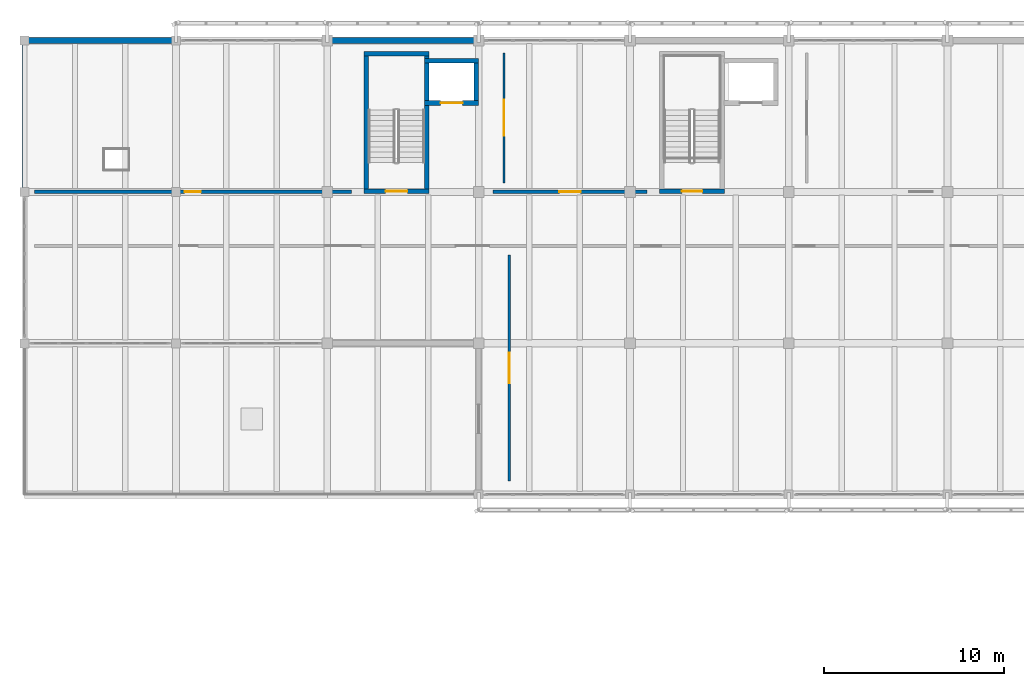
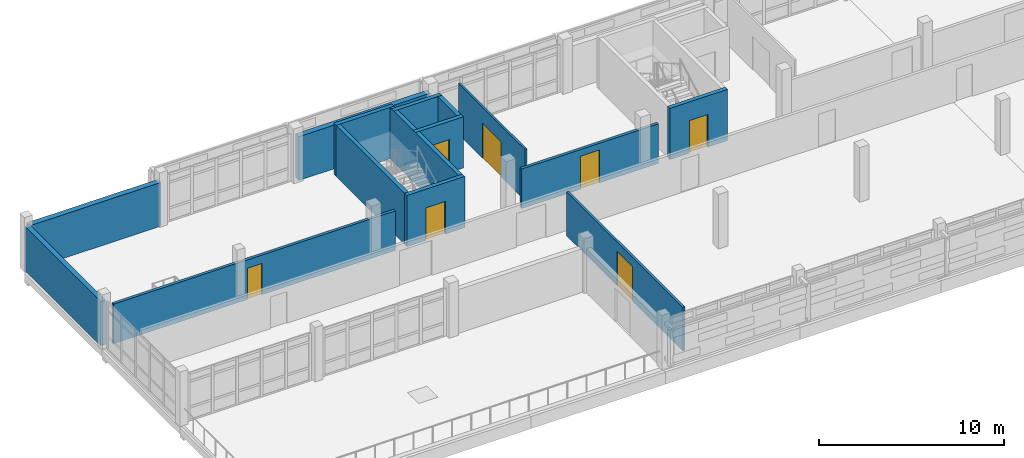
# One storey, part 43 of 50: 15 walls, 7 doors, 7 openings.
"""IFC4 building model written with IfcOpenShell, lengths in metres."""

from ifc_helpers import new_model, si_unit, direction, frame, frame_2d, origin, place, context, subcontext, project, spatial, rectangle, extrude, material, layer, layer_set, type_object, element, fill, save


model = new_model("IFC4")

# Units and contexts
model_context = context("Model", 3, precision=1e-05, world=origin(), true_north=direction((0.0, 1.0)))
body_context = subcontext(model_context, "Body", "Model", "MODEL_VIEW")
ifc_project = project(units=[si_unit("LENGTHUNIT", "METRE"), si_unit("AREAUNIT", "SQUARE_METRE"), si_unit("VOLUMEUNIT", "CUBIC_METRE"), si_unit("PLANEANGLEUNIT", "RADIAN"), si_unit("MASSUNIT", "GRAM", prefix="KILO")], contexts=[model_context])

# Site, building, storey
site_placement = place(None, origin())
site = spatial("IfcSite", under=ifc_project, at=site_placement, CompositionType="ELEMENT")
building_placement = place(site_placement, origin())
building = spatial("IfcBuilding", under=site, at=building_placement, Name="Cinderway Yard Community Centre", CompositionType="ELEMENT")
storey_placement = place(building_placement, frame((0.0, 0.0, 12.89990234375)))
storey = spatial("IfcBuildingStorey", under=building, at=storey_placement, Name="L03", CompositionType="ELEMENT", Elevation=12.89990234375)

# Walls
ifc_material_1 = material(Name="Brick Masonry", Category="masonry")
ifc_layer_1 = layer(ifc_material_1, 0.300048828125, Name="Brick Masonry")
ifc_layer_set_1 = layer_set([ifc_layer_1], Name="Brick Masonry")
wall_type_1 = type_object("IfcWallType", Name="ENV-WAL-EXT300", PredefinedType="SOLIDWALL", material=ifc_layer_set_1)
wall_1_placement = place(storey_placement, frame((41.60009765625, 106.89990234375, 0.0), z_axis=(0.0, 0.0, 1.0), x_axis=(0.0, 1.0, 0.0)))
element("IfcWall", 1, at=wall_1_placement, inside=storey, type_object=wall_type_1, Name="V4 West End Wall ENV-WAL-L03-0174", PredefinedType="SOLIDWALL", context=body_context, shape_type="SweptSolid", body=[
    extrude(rectangle(XDim=8.2001953125, YDim=0.300048828125, at=frame_2d((4.10009765625, 0.0))), origin(), (0.0, 0.0, 1.0), 2.9150390625),
])
ifc_layer_2 = layer(ifc_material_1, 0.340087890625, Name="Brick Masonry")
ifc_layer_set_2 = layer_set([ifc_layer_2], Name="Brick Masonry")
wall_type_2 = type_object("IfcWallType", Name="ENV-WAL-EXT340", PredefinedType="SOLIDWALL", material=ifc_layer_set_2)
for number, where, z_axis, x_axis, name in (
    (2, (41.699951171875, 115.199951171875, 0.0), (0.0, 0.0, 1.0), (1.0, 0.0, 0.0), "V4 Street Brick Facade Wall ENV-WAL-L03-0166"),
    (3, (58.5, 115.199951171875, 0.0), (0.0, 0.0, 1.0), (1.0, 0.0, 0.0), "V4 Street Brick Facade Wall ENV-WAL-L03-0167"),
):
    element("IfcWall", number, at=place(storey_placement, frame(where, z_axis=z_axis, x_axis=x_axis)), inside=storey, type_object=wall_type_2, Name=name, PredefinedType="SOLIDWALL", context=body_context, shape_type="SweptSolid", body=[
        extrude(rectangle(XDim=8.199951171875, YDim=0.340087890625, at=frame_2d((4.10009765625, 0.0))), origin(), (0.0, 0.0, 1.0), 2.885009765625),
    ])

# Wall, opening, door
ifc_material_2 = material(Name="Gypsum Board Partition", Category="gypsum")
ifc_layer_3 = layer(ifc_material_2, 0.1201171875, Name="Gypsum Board Partition")
ifc_layer_set_3 = layer_set([ifc_layer_3], Name="Gypsum Board Partition")
wall_type_3 = type_object("IfcWallType", Name="INT-WAL-PRT120", PredefinedType="PARTITIONING", material=ifc_layer_set_3)
wall_2_placement = place(storey_placement, frame((68.199951171875, 107.300048828125, 0.0), z_axis=(0.0, 0.0, 1.0), x_axis=(0.0, 1.0, 0.0)))
wall_2 = element("IfcWall", 4, at=wall_2_placement, inside=storey, type_object=wall_type_3, Name="V4 L03 North Room Partition INT-PRT-L03-0323", PredefinedType="PARTITIONING", context=body_context, shape_type="SweptSolid", body=[
    extrude(rectangle(XDim=7.199951171875, YDim=0.1201171875, at=frame_2d((3.60009765625, 0.0))), origin(), (0.0, 0.0, 1.0), 3.364990234375),
])
opening_1_placement = place(wall_2_placement, frame((2.60009765625, 0.0, 0.0)))
opening_1 = element("IfcOpeningElement", 5, at=opening_1_placement, cuts=wall_2, Name="Opening D-01", PredefinedType="OPENING", context=body_context, shape_type="SweptSolid", body=[
    extrude(rectangle(XDim=2.0, YDim=2.300048828125, at=frame_2d((1.0, 1.14990234375))), frame((0.0, 0.070068359375, 0.0), z_axis=(0.0, -1.0, 0.0), x_axis=(1.0, 0.0, 0.0)), (0.0, 0.0, 1.0), 0.14013671875),
])
ifc_material_3 = material(Name="Hardwood Timber", Category="wood")
door_type_1 = type_object("IfcDoorType", Name="INT-DOR-HAL200", OperationType="DOUBLE_DOOR_SINGLE_SWING", PredefinedType="DOOR", material=ifc_material_3)
door_1_placement = place(opening_1_placement, origin())
door_1 = element("IfcDoor", 6, at=door_1_placement, inside=storey, type_object=door_type_1, Name="Room door INT-DOR-L03-0248", OperationType="DOUBLE_DOOR_SINGLE_SWING", OverallHeight=2.300048828125, OverallWidth=2.0, PredefinedType="DOOR", context=body_context, shape_type="SweptSolid", body=[
    extrude(rectangle(XDim=2.0, YDim=2.300048828125, at=frame_2d((1.0, 1.14990234375))), frame((0.0, 0.02490234375, 0.0), z_axis=(0.0, -1.0, 0.0), x_axis=(1.0, 0.0, 0.0)), (0.0, 0.0, 1.0), 0.050048828125),
])
fill(opening_1, door_1)

ifc_layer_4 = layer(ifc_material_2, 0.139892578125, Name="Gypsum Board Partition")
ifc_layer_set_4 = layer_set([ifc_layer_4], Name="Gypsum Board Partition")
wall_type_4 = type_object("IfcWallType", Name="INT-WAL-PRT140", PredefinedType="PARTITIONING", material=ifc_layer_set_4)
wall_3_placement = place(storey_placement, frame((68.5, 90.75, 0.0), z_axis=(0.0, 0.0, 1.0), x_axis=(0.0, 1.0, 0.0)))
wall_3 = element("IfcWall", 7, at=wall_3_placement, inside=storey, type_object=wall_type_4, Name="V4 L03 South Room Partition INT-PRT-L03-0321", PredefinedType="PARTITIONING", context=body_context, shape_type="SweptSolid", body=[
    extrude(rectangle(XDim=12.550048828125, YDim=0.139892578125, at=frame_2d((6.27490234375, 0.0))), origin(), (0.0, 0.0, 1.0), 2.885009765625),
])
opening_2_placement = place(wall_3_placement, frame((5.43505859375, 0.0, 0.0)))
opening_2 = element("IfcOpeningElement", 8, at=opening_2_placement, cuts=wall_3, Name="Opening D-16", PredefinedType="OPENING", context=body_context, shape_type="SweptSolid", body=[
    extrude(rectangle(XDim=1.679931640625, YDim=2.260009765625, at=frame_2d((0.83984375, 1.1298828125))), frame((0.0, 0.079833984375, 0.0), z_axis=(0.0, -1.0, 0.0), x_axis=(1.0, 0.0, 0.0)), (0.0, 0.0, 1.0), 0.159912109375),
])
door_type_2 = type_object("IfcDoorType", Name="INT-DOR-LIB168", OperationType="DOUBLE_DOOR_SINGLE_SWING", PredefinedType="DOOR", material=ifc_material_3)
door_2_placement = place(opening_2_placement, origin())
door_2 = element("IfcDoor", 9, at=door_2_placement, inside=storey, type_object=door_type_2, Name="Room door INT-DOR-L03-0246", OperationType="DOUBLE_DOOR_SINGLE_SWING", OverallHeight=2.260009765625, OverallWidth=1.679931640625, PredefinedType="DOOR", context=body_context, shape_type="SweptSolid", body=[
    extrude(rectangle(XDim=1.679931640625, YDim=2.260009765625, at=frame_2d((0.83984375, 1.1298828125))), frame((0.0, 0.02490234375, 0.0), z_axis=(0.0, -1.0, 0.0), x_axis=(1.0, 0.0, 0.0)), (0.0, 0.0, 1.0), 0.050048828125),
])
fill(opening_2, door_2)

ifc_layer_5 = layer(ifc_material_1, 0.179931640625, Name="Brick Masonry")
ifc_layer_set_5 = layer_set([ifc_layer_5], Name="Brick Masonry")
wall_type_5 = type_object("IfcWallType", Name="INT-WAL-PRT180", PredefinedType="PARTITIONING", material=ifc_layer_set_5)
wall_4_placement = place(storey_placement, frame((42.14990234375, 106.800048828125, 0.0), z_axis=(0.0, 0.0, 1.0), x_axis=(1.0, 0.0, 0.0)))
wall_4 = element("IfcWall", 10, at=wall_4_placement, inside=storey, type_object=wall_type_5, Name="V4 L03 North Corridor Spine INT-PRT-L03-0317", PredefinedType="PARTITIONING", context=body_context, shape_type="SweptSolid", body=[
    extrude(rectangle(XDim=17.580078125, YDim=0.179931640625, at=frame_2d((8.7900390625, 0.0))), origin(), (0.0, 0.0, 1.0), 2.614990234375),
])
opening_3_placement = place(wall_4_placement, frame((8.340087890625, 0.0, 0.0)))
opening_3 = element("IfcOpeningElement", 11, at=opening_3_placement, cuts=wall_4, Name="Opening D-10", PredefinedType="OPENING", context=body_context, shape_type="SweptSolid", body=[
    extrude(rectangle(XDim=0.89990234375, YDim=2.06005859375, at=frame_2d((0.449951171875, 1.030029296875))), frame((0.0, 0.099853515625, 0.0), z_axis=(0.0, -1.0, 0.0), x_axis=(1.0, 0.0, 0.0)), (0.0, 0.0, 1.0), 0.199951171875),
])
door_type_3 = type_object("IfcDoorType", Name="INT-DOR-SAN090", OperationType="NOTDEFINED", PredefinedType="DOOR", material=ifc_material_3)
door_3_placement = place(opening_3_placement, origin())
door_3 = element("IfcDoor", 12, at=door_3_placement, inside=storey, type_object=door_type_3, Name="Room door INT-DOR-L03-0240", OperationType="SINGLE_SWING_RIGHT", OverallHeight=2.06005859375, OverallWidth=0.89990234375, PredefinedType="DOOR", context=body_context, shape_type="SweptSolid", body=[
    extrude(rectangle(XDim=0.89990234375, YDim=2.06005859375, at=frame_2d((0.449951171875, 1.030029296875))), frame((0.0, 0.02490234375, 0.0), z_axis=(0.0, -1.0, 0.0), x_axis=(1.0, 0.0, 0.0)), (0.0, 0.0, 1.0), 0.050048828125),
])
fill(opening_3, door_3)

wall_5_placement = place(storey_placement, frame((67.60009765625, 106.800048828125, 0.0), z_axis=(0.0, 0.0, 1.0), x_axis=(1.0, 0.0, 0.0)))
wall_5 = element("IfcWall", 13, at=wall_5_placement, inside=storey, type_object=wall_type_5, Name="V4 L03 North Corridor Spine INT-PRT-L03-0318", PredefinedType="PARTITIONING", context=body_context, shape_type="SweptSolid", body=[
    extrude(rectangle(XDim=8.52978515625, YDim=0.179931640625, at=frame_2d((4.264892578125, 0.0))), origin(), (0.0, 0.0, 1.0), 2.614990234375),
])
opening_4_placement = place(wall_5_placement, frame((3.675048828125, 0.0, 0.0)))
opening_4 = element("IfcOpeningElement", 14, at=opening_4_placement, cuts=wall_5, Name="Opening D-11", PredefinedType="OPENING", context=body_context, shape_type="SweptSolid", body=[
    extrude(rectangle(XDim=1.179931640625, YDim=2.179931640625, at=frame_2d((0.58984375, 1.08984375))), frame((0.0, 0.099853515625, 0.0), z_axis=(0.0, -1.0, 0.0), x_axis=(1.0, 0.0, 0.0)), (0.0, 0.0, 1.0), 0.199951171875),
])
ifc_material_4 = material(Name="Painted Galvanised Steel", Category="steel")
door_type_4 = type_object("IfcDoorType", Name="INT-DOR-STR118", OperationType="NOTDEFINED", PredefinedType="DOOR", material=ifc_material_4)
door_4_placement = place(opening_4_placement, origin())
door_4 = element("IfcDoor", 15, at=door_4_placement, inside=storey, type_object=door_type_4, Name="Room door INT-DOR-L03-0241", OperationType="SINGLE_SWING_LEFT", OverallHeight=2.179931640625, OverallWidth=1.179931640625, PredefinedType="DOOR", context=body_context, shape_type="SweptSolid", body=[
    extrude(rectangle(XDim=1.179931640625, YDim=2.179931640625, at=frame_2d((0.58984375, 1.08984375))), frame((0.0, 0.02490234375, 0.0), z_axis=(0.0, -1.0, 0.0), x_axis=(1.0, 0.0, 0.0)), (0.0, 0.0, 1.0), 0.050048828125),
])
fill(opening_4, door_4)

ifc_material_5 = material(Name="Concrete C40/50", Category="concrete")
ifc_layer_6 = layer(ifc_material_5, 0.25, Name="Concrete C40/50")
ifc_layer_set_6 = layer_set([ifc_layer_6], Name="Concrete C40/50")
wall_type_6 = type_object("IfcWallType", Name="INT-WAL-SHR250", PredefinedType="SHEAR", material=ifc_layer_set_6)
wall_6_placement = place(storey_placement, frame((64.044921875, 106.830078125, 0.0), z_axis=(0.0, 0.0, 1.0), x_axis=(-1.0, 0.0, 0.0)))
wall_6 = element("IfcWall", 16, at=wall_6_placement, inside=storey, type_object=wall_type_6, Name="Stair ST-01 Entry Wall INT-WAL-L03-0013", PredefinedType="SHEAR", context=body_context, shape_type="SweptSolid", body=[
    extrude(rectangle(XDim=3.60986328125, YDim=0.25, at=frame_2d((1.804931640625, 0.0))), origin(), (0.0, 0.0, 1.0), 3.380126953125),
])
opening_5_placement = place(wall_6_placement, frame((1.205078125, 0.0, 0.0)))
opening_5 = element("IfcOpeningElement", 17, at=opening_5_placement, cuts=wall_6, Name="Opening D-ST1", PredefinedType="OPENING", context=body_context, shape_type="SweptSolid", body=[
    extrude(rectangle(XDim=1.199951171875, YDim=2.14990234375, at=frame_2d((0.60009765625, 1.074951171875))), frame((0.0, 0.135009765625, 0.0), z_axis=(0.0, -1.0, 0.0), x_axis=(1.0, 0.0, 0.0)), (0.0, 0.0, 1.0), 0.27001953125),
])
door_type_5 = type_object("IfcDoorType", Name="INT-DOR-ST120", OperationType="NOTDEFINED", PredefinedType="DOOR", material=ifc_material_4)
door_5_placement = place(opening_5_placement, origin())
door_5 = element("IfcDoor", 18, at=door_5_placement, inside=storey, type_object=door_type_5, Name="Core door INT-DOR-L03-0004", OperationType="SINGLE_SWING_RIGHT", OverallHeight=2.14990234375, OverallWidth=1.199951171875, PredefinedType="DOOR", context=body_context, shape_type="SweptSolid", body=[
    extrude(rectangle(XDim=1.199951171875, YDim=2.14990234375, at=frame_2d((0.60009765625, 1.074951171875))), frame((0.0, 0.02490234375, 0.0), z_axis=(0.0, -1.0, 0.0), x_axis=(1.0, 0.0, 0.0)), (0.0, 0.0, 1.0), 0.050048828125),
])
fill(opening_5, door_5)

# Walls
wall_7_placement = place(storey_placement, frame((60.43505859375, 114.469970703125, 0.0), z_axis=(0.0, 0.0, 1.0), x_axis=(1.0, 0.0, 0.0)))
element("IfcWall", 19, at=wall_7_placement, inside=storey, type_object=wall_type_6, Name="Stair ST-01 Back Wall INT-WAL-L03-0014", PredefinedType="SHEAR", context=body_context, shape_type="SweptSolid", body=[
    extrude(rectangle(XDim=3.60986328125, YDim=0.25, at=frame_2d((1.804931640625, 0.0))), origin(), (0.0, 0.0, 1.0), 3.380126953125),
])
for number, where, z_axis, x_axis, name in (
    (20, (60.56005859375, 106.955078125, 0.0), (0.0, 0.0, 1.0), (0.0, 1.0, 0.0), "Stair ST-01 Side Wall L INT-WAL-L03-0015"),
    (21, (63.919921875, 114.344970703125, 0.0), (0.0, 0.0, 1.0), (0.0, -1.0, 0.0), "Stair ST-01 Side Wall R INT-WAL-L03-0016"),
):
    element("IfcWall", number, at=place(storey_placement, frame(where, z_axis=z_axis, x_axis=x_axis)), inside=storey, type_object=wall_type_6, Name=name, PredefinedType="SHEAR", context=body_context, shape_type="SweptSolid", body=[
        extrude(rectangle(XDim=7.389892578125, YDim=0.25, at=frame_2d((3.69482421875, 0.0))), origin(), (0.0, 0.0, 1.0), 3.380126953125),
    ])

# Wall, opening, door
wall_8_placement = place(storey_placement, frame((63.800048828125, 111.72998046875, 0.0), z_axis=(0.0, 0.0, 1.0), x_axis=(1.0, 0.0, 0.0)))
wall_8 = element("IfcWall", 22, at=wall_8_placement, inside=storey, type_object=wall_type_6, Name="Lift LF-01 South Wall INT-WAL-L03-0034", PredefinedType="SHEAR", context=body_context, shape_type="SweptSolid", body=[
    extrude(rectangle(XDim=3.0, YDim=0.25, at=frame_2d((1.5, 0.0))), origin(), (0.0, 0.0, 1.0), 3.380126953125),
])
opening_6_placement = place(wall_8_placement, frame((0.889892578125, 0.0, 0.0)))
opening_6 = element("IfcOpeningElement", 23, at=opening_6_placement, cuts=wall_8, Name="Opening LD-02", PredefinedType="OPENING", context=body_context, shape_type="SweptSolid", body=[
    extrude(rectangle(XDim=1.219970703125, YDim=2.179931640625, at=frame_2d((0.60986328125, 1.08984375))), frame((0.0, 0.135009765625, 0.0), z_axis=(0.0, -1.0, 0.0), x_axis=(1.0, 0.0, 0.0)), (0.0, 0.0, 1.0), 0.27001953125),
])
door_type_6 = type_object("IfcDoorType", Name="INT-DOR-LD02", OperationType="SLIDING_TO_RIGHT", PredefinedType="DOOR", material=ifc_material_4)
door_6_placement = place(opening_6_placement, origin())
door_6 = element("IfcDoor", 24, at=door_6_placement, inside=storey, type_object=door_type_6, Name="Lift landing door INT-DOR-L03-0010", OperationType="SLIDING_TO_RIGHT", OverallHeight=2.179931640625, OverallWidth=1.219970703125, PredefinedType="DOOR", context=body_context, shape_type="SweptSolid", body=[
    extrude(rectangle(XDim=1.219970703125, YDim=2.179931640625, at=frame_2d((0.60986328125, 1.08984375))), frame((0.0, 0.02490234375, 0.0), z_axis=(0.0, -1.0, 0.0), x_axis=(1.0, 0.0, 0.0)), (0.0, 0.0, 1.0), 0.050048828125),
])
fill(opening_6, door_6)

# Walls
wall_9_placement = place(storey_placement, frame((66.800048828125, 114.070068359375, 0.0), z_axis=(0.0, 0.0, 1.0), x_axis=(-1.0, 0.0, 0.0)))
element("IfcWall", 25, at=wall_9_placement, inside=storey, type_object=wall_type_6, Name="Lift LF-01 North Wall INT-WAL-L03-0035", PredefinedType="SHEAR", context=body_context, shape_type="SweptSolid", body=[
    extrude(rectangle(XDim=3.0, YDim=0.25, at=frame_2d((1.5, 0.0))), origin(), (0.0, 0.0, 1.0), 3.380126953125),
])
wall_10_placement = place(storey_placement, frame((66.669921875, 111.860107421875, 0.0), z_axis=(0.0, 0.0, 1.0), x_axis=(0.0, 1.0, 0.0)))
element("IfcWall", 26, at=wall_10_placement, inside=storey, type_object=wall_type_6, Name="Lift LF-01 East Wall INT-WAL-L03-0036", PredefinedType="SHEAR", context=body_context, shape_type="SweptSolid", body=[
    extrude(rectangle(XDim=2.079833984375, YDim=0.25, at=frame_2d((1.0400390625, 0.0))), origin(), (0.0, 0.0, 1.0), 3.380126953125),
])

# Wall, opening, door
wall_11_placement = place(storey_placement, frame((80.445068359375, 106.830078125, 0.0), z_axis=(0.0, 0.0, 1.0), x_axis=(-1.0, 0.0, 0.0)))
wall_11 = element("IfcWall", 27, at=wall_11_placement, inside=storey, type_object=wall_type_6, Name="Stair ST-02 Entry Wall INT-WAL-L03-0055", PredefinedType="SHEAR", context=body_context, shape_type="SweptSolid", body=[
    extrude(rectangle(XDim=3.610107421875, YDim=0.25, at=frame_2d((1.80517578125, 0.0))), origin(), (0.0, 0.0, 1.0), 3.380126953125),
])
opening_7_placement = place(wall_11_placement, frame((1.235107421875, 0.0, 0.0)))
opening_7 = element("IfcOpeningElement", 28, at=opening_7_placement, cuts=wall_11, Name="Opening D-ST2", PredefinedType="OPENING", context=body_context, shape_type="SweptSolid", body=[
    extrude(rectangle(XDim=1.139892578125, YDim=2.14990234375, at=frame_2d((0.56982421875, 1.074951171875))), frame((0.0, 0.135009765625, 0.0), z_axis=(0.0, -1.0, 0.0), x_axis=(1.0, 0.0, 0.0)), (0.0, 0.0, 1.0), 0.27001953125),
])
door_type_7 = type_object("IfcDoorType", Name="INT-DOR-ST114", OperationType="NOTDEFINED", PredefinedType="DOOR", material=ifc_material_4)
door_7_placement = place(opening_7_placement, origin())
door_7 = element("IfcDoor", 29, at=door_7_placement, inside=storey, type_object=door_type_7, Name="Core door INT-DOR-L03-0016", OperationType="SINGLE_SWING_RIGHT", OverallHeight=2.14990234375, OverallWidth=1.139892578125, PredefinedType="DOOR", context=body_context, shape_type="SweptSolid", body=[
    extrude(rectangle(XDim=1.139892578125, YDim=2.14990234375, at=frame_2d((0.56982421875, 1.074951171875))), frame((0.0, 0.02490234375, 0.0), z_axis=(0.0, -1.0, 0.0), x_axis=(1.0, 0.0, 0.0)), (0.0, 0.0, 1.0), 0.050048828125),
])
fill(opening_7, door_7)

save(model, "model.ifc")
